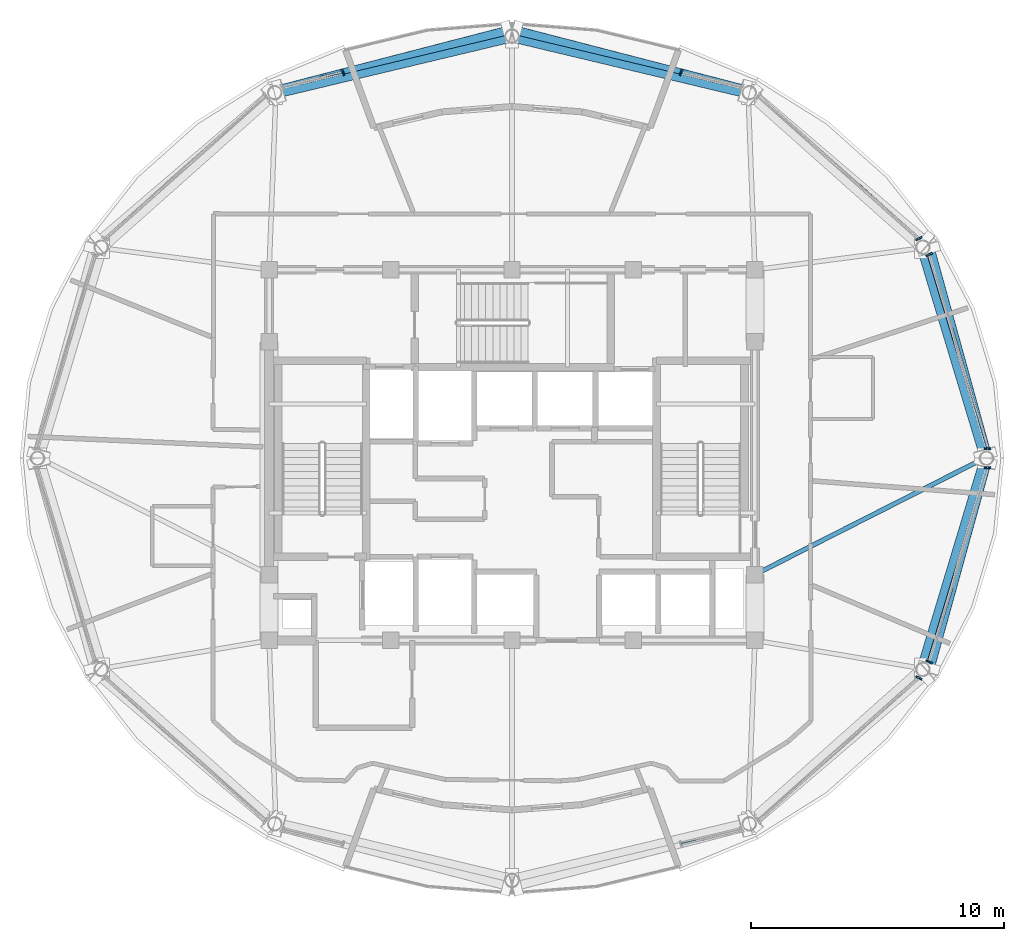
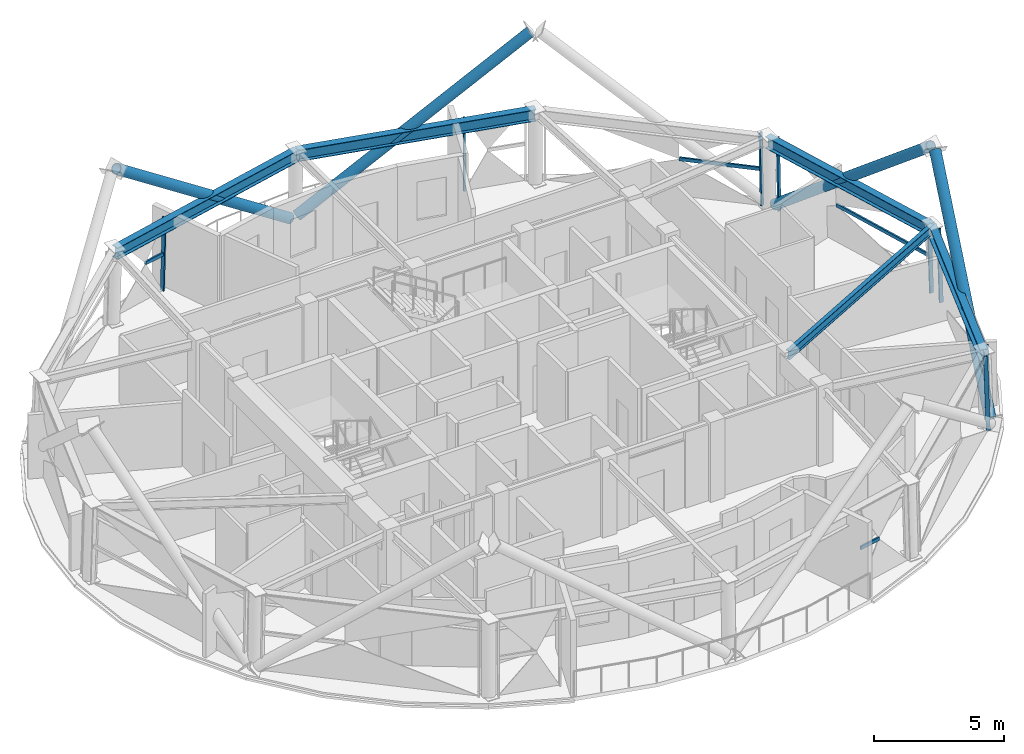
# One storey, part 4 of 13: 17 members, 5 beams, 7 elements without a shape of their own.
"""IFC4 building model written with IfcOpenShell, lengths in metres."""

from ifc_helpers import new_model, si_unit, direction, frame, origin, origin_2d, place, context, subcontext, project, spatial, hollow_rectangle, hollow_circle, i_section, extrude, material, layer, layer_set, material_profile, profile_set, type_object, element, aggregate, save


model = new_model("IFC4")

# Units and contexts
model_context = context("Model", 3, precision=1e-05, world=origin(), true_north=direction((0.0, 1.0)))
body_context = subcontext(model_context, "Body", "Model", "MODEL_VIEW")
ifc_project = project(units=[si_unit("LENGTHUNIT", "METRE"), si_unit("AREAUNIT", "SQUARE_METRE"), si_unit("VOLUMEUNIT", "CUBIC_METRE"), si_unit("PLANEANGLEUNIT", "RADIAN"), si_unit("MASSUNIT", "GRAM", prefix="KILO")], contexts=[model_context])

# Site, building, storey
site_placement = place(None, origin())
site = spatial("IfcSite", under=ifc_project, at=site_placement, CompositionType="ELEMENT")
building_placement = place(site_placement, origin())
building = spatial("IfcBuilding", under=site, at=building_placement, Name="Vantalir Tower", CompositionType="ELEMENT")
storey_placement = place(building_placement, frame((0.0, 0.0, 282.60009765625)))
storey = spatial("IfcBuildingStorey", under=building, at=storey_placement, Name="L71", CompositionType="ELEMENT", Elevation=282.60009765625)

# Beams
ifc_material_1 = material(Name="Steel S355", Category="steel")
ifc_material_profile_1 = material_profile(ifc_material_1, i_section(OverallWidth=0.179931640625, OverallDepth=0.4130859375, WebThickness=0.009521484375, FlangeThickness=0.01611328125, at=origin_2d()), Name="Steel S355")
ifc_profile_set_1 = profile_set([ifc_material_profile_1], Name="Steel S355")
beam_type_1 = type_object("IfcBeamType", Name="BM-RB-406x178", PredefinedType="BEAM", material=ifc_profile_set_1)
beam_1_placement = place(storey_placement, frame((50.1650390625, 25.0, 3.364013671875), z_axis=(-0.891750275666, -0.452527839862, 0.0), x_axis=(0.452527839862, -0.891750275666, 0.0)))
element("IfcBeam", 1, at=beam_1_placement, inside=storey, type_object=beam_type_1, Name="L71 Radial Floor Beam 01", PredefinedType="BEAM", context=body_context, shape_type="SweptSolid", body=[
    extrude(i_section(OverallWidth=0.179931640625, OverallDepth=0.4130859375, WebThickness=0.009521484375, FlangeThickness=0.01611328125, at=origin_2d()), origin(), (0.0, 0.0, 1.0), 10.165283203125),
])
ifc_material_2 = material(Name="Steel S460", Category="steel")
ifc_material_profile_2 = material_profile(ifc_material_2, i_section(OverallWidth=0.31201171875, OverallDepth=0.5419921875, WebThickness=0.0126953125, FlangeThickness=0.020263671875, at=origin_2d()), Name="Steel S460")
ifc_profile_set_2 = profile_set([ifc_material_profile_2], Name="Steel S460")
beam_type_2 = type_object("IfcBeamType", Name="BM-RG-533x312", PredefinedType="USERDEFINED", material=ifc_profile_set_2)
beam_2_placement = place(storey_placement, frame((50.1650390625, 25.0, 3.298828125), z_axis=(-0.288414477958, 0.957505659985, 0.0), x_axis=(-0.957505659985, -0.288414477958, 0.0)))
element("IfcBeam", 2, at=beam_2_placement, inside=storey, type_object=beam_type_2, Name="L71 Circumferential Ring Girder 01", ObjectType="GIRDER", PredefinedType="USERDEFINED", context=body_context, shape_type="SweptSolid", body=[
    extrude(i_section(OverallWidth=0.31201171875, OverallDepth=0.5419921875, WebThickness=0.0126953125, FlangeThickness=0.020263671875, at=origin_2d()), origin(), (0.0, 0.0, 1.0), 8.67138671875),
])
beam_3_placement = place(storey_placement, frame((40.8330078125, 39.381103515625, 3.298828125), z_axis=(-0.972742563461, 0.231887699613, 0.0), x_axis=(-0.231887699613, -0.972742563461, 0.0)))
element("IfcBeam", 3, at=beam_3_placement, inside=storey, type_object=beam_type_2, Name="L71 Circumferential Ring Girder 03", ObjectType="GIRDER", PredefinedType="USERDEFINED", context=body_context, shape_type="SweptSolid", body=[
    extrude(i_section(OverallWidth=0.31201171875, OverallDepth=0.5419921875, WebThickness=0.0126953125, FlangeThickness=0.020263671875, at=origin_2d()), origin(), (0.0, 0.0, 1.0), 9.594482421875),
])
beam_4_placement = place(storey_placement, frame((31.5, 41.60595703125, 3.298828125), z_axis=(-0.972737089568, -0.231910660769, 0.0), x_axis=(0.231910660769, -0.972737089568, 0.0)))
element("IfcBeam", 4, at=beam_4_placement, inside=storey, type_object=beam_type_2, Name="L71 Circumferential Ring Girder 04", ObjectType="GIRDER", PredefinedType="USERDEFINED", context=body_context, shape_type="SweptSolid", body=[
    extrude(i_section(OverallWidth=0.31201171875, OverallDepth=0.5419921875, WebThickness=0.0126953125, FlangeThickness=0.020263671875, at=origin_2d()), origin(), (0.0, 0.0, 1.0), 9.593505859375),
])
beam_5_placement = place(storey_placement, frame((47.6640625, 16.697021484375, 3.298828125), z_axis=(0.288414477958, 0.957505659985, 0.0), x_axis=(-0.957505659985, 0.288414477958, 0.0)))
element("IfcBeam", 5, at=beam_5_placement, inside=storey, type_object=beam_type_2, Name="L71 Circumferential Ring Girder 12", ObjectType="GIRDER", PredefinedType="USERDEFINED", context=body_context, shape_type="SweptSolid", body=[
    extrude(i_section(OverallWidth=0.31201171875, OverallDepth=0.5419921875, WebThickness=0.0126953125, FlangeThickness=0.020263671875, at=origin_2d()), origin(), (0.0, 0.0, 1.0), 8.67138671875),
])

# Curtain wall, members
ifc_material_3 = material(Name="Champagne-silver PVDF aluminium and double-silver Low-E glass", Category="aluminium")
ifc_layer = layer(ifc_material_3, 0.219970703125)
ifc_layer_set = layer_set([ifc_layer], Name="Champagne-silver PVDF aluminium and double-silver Low-E glass")
curtain_wall_type = type_object("IfcCurtainWallType", Name="CW-DIAMOND-Z4", PredefinedType="USERDEFINED", material=ifc_layer_set)
curtain_wall_1_placement = place(storey_placement, origin())
curtain_wall_1 = element("IfcCurtainWall", 6, at=curtain_wall_1_placement, inside=storey, type_object=curtain_wall_type, Name="L71 Quilted Pyramid-Diamond Curtain Wall S01", ObjectType="UNITISED CURTAIN WALL", PredefinedType="USERDEFINED")
ifc_material_4 = material(Name="Champagne-silver PVDF aluminium 6063-T6", Category="aluminium")
ifc_material_profile_3 = material_profile(ifc_material_4, hollow_rectangle(XDim=0.070068359375, YDim=0.1650390625, WallThickness=0.00390625, at=origin_2d()), Name="Champagne-silver PVDF aluminium 6063-T6")
ifc_profile_set_3 = profile_set([ifc_material_profile_3], Name="Champagne-silver PVDF aluminium 6063-T6")
member_type_1 = type_object("IfcMemberType", Name="CWM-165x70", PredefinedType="MULLION", material=ifc_profile_set_3)
member_1_placement = place(storey_placement, frame((50.347900390625, 25.373046875, 0.044921875), z_axis=(-0.030153253369, 0.0, 0.999545287274), x_axis=(0.0, -1.0, 0.0)))
member_1 = element("IfcMember", 7, at=member_1_placement, type_object=member_type_1, Name="CW-L71-S01 Mullion 1", PredefinedType="MULLION", context=body_context, shape_type="SweptSolid", body=[
    extrude(hollow_rectangle(XDim=0.070068359375, YDim=0.1650390625, WallThickness=0.00390625, at=origin_2d()), origin(), (0.0, 0.0, 1.0), 3.4814453125),
])
member_2_placement = place(storey_placement, frame((48.031982421875, 33.072021484375, 0.044921875), z_axis=(-0.026156742266, -0.013534185676, 0.999566231248), x_axis=(0.459552467317, -0.888150623364, 0.0)))
member_2 = element("IfcMember", 8, at=member_2_placement, type_object=member_type_1, Name="CW-L71-S01 Mullion 2", PredefinedType="MULLION", context=body_context, shape_type="SweptSolid", body=[
    extrude(hollow_rectangle(XDim=0.070068359375, YDim=0.1650390625, WallThickness=0.00390625, at=origin_2d()), origin(), (0.0, 0.0, 1.0), 3.4814453125),
])

# Curtain wall, member
curtain_wall_2_placement = place(storey_placement, origin())
curtain_wall_2 = element("IfcCurtainWall", 9, at=curtain_wall_2_placement, inside=storey, type_object=curtain_wall_type, Name="L71 Quilted Pyramid-Diamond Curtain Wall S02", ObjectType="UNITISED CURTAIN WALL", PredefinedType="USERDEFINED")
member_3_placement = place(storey_placement, frame((47.62890625, 33.7041015625, 0.044921875), z_axis=(-0.026086664737, -0.013534210468, 0.99956806225), x_axis=(0.460526100671, -0.887646162951, 0.0)))
member_3 = element("IfcMember", 10, at=member_3_placement, type_object=member_type_1, Name="CW-L71-S02 Mullion 1", PredefinedType="MULLION", context=body_context, shape_type="SweptSolid", body=[
    extrude(hollow_rectangle(XDim=0.070068359375, YDim=0.1650390625, WallThickness=0.00390625, at=origin_2d()), origin(), (0.0, 0.0, 1.0), 3.4814453125),
])

curtain_wall_3_placement = place(storey_placement, origin())
curtain_wall_3 = element("IfcCurtainWall", 11, at=curtain_wall_3_placement, inside=storey, type_object=curtain_wall_type, Name="L71 Quilted Pyramid-Diamond Curtain Wall S03", ObjectType="UNITISED CURTAIN WALL", PredefinedType="USERDEFINED")
member_4_placement = place(storey_placement, frame((38.198974609375, 40.291015625, 0.044921875), z_axis=(-0.009748213367, -0.024686123058, 0.999647721782), x_axis=(0.930107717717, -0.367286854439, 0.0)))
member_4 = element("IfcMember", 12, at=member_4_placement, type_object=member_type_1, Name="CW-L71-S03 Mullion 2", PredefinedType="MULLION", context=body_context, shape_type="SweptSolid", body=[
    extrude(hollow_rectangle(XDim=0.070068359375, YDim=0.1650390625, WallThickness=0.00390625, at=origin_2d()), origin(), (0.0, 0.0, 1.0), 3.481201171875),
])
aggregate(curtain_wall_3, [member_4])

curtain_wall_4_placement = place(storey_placement, origin())
curtain_wall_4 = element("IfcCurtainWall", 13, at=curtain_wall_4_placement, inside=storey, type_object=curtain_wall_type, Name="L71 Quilted Pyramid-Diamond Curtain Wall S04", ObjectType="UNITISED CURTAIN WALL", PredefinedType="USERDEFINED")
member_5_placement = place(storey_placement, frame((24.801025390625, 40.291015625, 0.044921875), z_axis=(0.010028709673, -0.02468605458, 0.999644948815), x_axis=(0.926466577122, 0.376377046956, 0.0)))
member_5 = element("IfcMember", 14, at=member_5_placement, type_object=member_type_1, Name="CW-L71-S04 Mullion 1", PredefinedType="MULLION", context=body_context, shape_type="SweptSolid", body=[
    extrude(hollow_rectangle(XDim=0.070068359375, YDim=0.1650390625, WallThickness=0.00390625, at=origin_2d()), origin(), (0.0, 0.0, 1.0), 3.481201171875),
])

curtain_wall_5_placement = place(storey_placement, origin())
curtain_wall_5 = element("IfcCurtainWall", 15, at=curtain_wall_5_placement, inside=storey, type_object=curtain_wall_type, Name="L71 Quilted Pyramid-Diamond Curtain Wall S11", ObjectType="UNITISED CURTAIN WALL", PredefinedType="USERDEFINED")
member_6_placement = place(storey_placement, frame((47.62890625, 16.2958984375, 0.044921875), z_axis=(-0.026086664737, 0.013534210468, 0.99956806225), x_axis=(-0.460526100671, -0.887646162951, 0.0)))
member_6 = element("IfcMember", 16, at=member_6_placement, type_object=member_type_1, Name="CW-L71-S11 Mullion 2", PredefinedType="MULLION", context=body_context, shape_type="SweptSolid", body=[
    extrude(hollow_rectangle(XDim=0.070068359375, YDim=0.1650390625, WallThickness=0.00390625, at=origin_2d()), origin(), (0.0, 0.0, 1.0), 3.4814453125),
])
aggregate(curtain_wall_5, [member_6])

# Curtain wall, members
curtain_wall_6_placement = place(storey_placement, origin())
curtain_wall_6 = element("IfcCurtainWall", 17, at=curtain_wall_6_placement, inside=storey, type_object=curtain_wall_type, Name="L71 Quilted Pyramid-Diamond Curtain Wall S12", ObjectType="UNITISED CURTAIN WALL", PredefinedType="USERDEFINED")
member_7_placement = place(storey_placement, frame((48.031982421875, 16.927978515625, 0.044921875), z_axis=(-0.026156742266, 0.013534185676, 0.999566231248), x_axis=(-0.459552467317, -0.888150623364, 0.0)))
member_7 = element("IfcMember", 18, at=member_7_placement, type_object=member_type_1, Name="CW-L71-S12 Mullion 1", PredefinedType="MULLION", context=body_context, shape_type="SweptSolid", body=[
    extrude(hollow_rectangle(XDim=0.070068359375, YDim=0.1650390625, WallThickness=0.00390625, at=origin_2d()), origin(), (0.0, 0.0, 1.0), 3.4814453125),
])
member_8_placement = place(storey_placement, frame((50.347900390625, 24.626953125, 0.044921875), z_axis=(-0.030153253369, 0.0, 0.999545287274), x_axis=(0.0, -1.0, 0.0)))
member_8 = element("IfcMember", 19, at=member_8_placement, type_object=member_type_1, Name="CW-L71-S12 Mullion 2", PredefinedType="MULLION", context=body_context, shape_type="SweptSolid", body=[
    extrude(hollow_rectangle(XDim=0.070068359375, YDim=0.1650390625, WallThickness=0.00390625, at=origin_2d()), origin(), (0.0, 0.0, 1.0), 3.4814453125),
])

# Member
ifc_material_profile_4 = material_profile(ifc_material_4, hollow_rectangle(XDim=0.074951171875, YDim=0.159912109375, WallThickness=0.00390625, at=origin_2d()), Name="Champagne-silver PVDF aluminium 6063-T6")
ifc_profile_set_4 = profile_set([ifc_material_profile_4], Name="Champagne-silver PVDF aluminium 6063-T6")
member_type_2 = type_object("IfcMemberType", Name="CWT-160x75", PredefinedType="USERDEFINED", material=ifc_profile_set_4)
member_9_placement = place(storey_placement, frame((50.294921875, 25.373046875, 1.784912109375), z_axis=(-0.283373872452, 0.959009514245, 0.0), x_axis=(-0.959009514245, -0.283373872452, 0.0)))
member_9 = element("IfcMember", 20, at=member_9_placement, type_object=member_type_2, Name="CW-L71-S01 Pyramid Fold Ridge Transom", ObjectType="TRANSOM", PredefinedType="USERDEFINED", context=body_context, shape_type="SweptSolid", body=[
    extrude(hollow_rectangle(XDim=0.074951171875, YDim=0.159912109375, WallThickness=0.00390625, at=origin_2d()), origin(), (0.0, 0.0, 1.0), 4.968505859375),
])

aggregate(curtain_wall_1, [member_1, member_2, member_9])

member_10_placement = place(storey_placement, frame((47.5830078125, 33.680908203125, 1.784912109375), z_axis=(-0.741727901546, 0.670700917003, 0.0), x_axis=(-0.670700917003, -0.741727901546, 0.0)))
member_10 = element("IfcMember", 21, at=member_10_placement, type_object=member_type_2, Name="CW-L71-S02 Pyramid Fold Ridge Transom", ObjectType="TRANSOM", PredefinedType="USERDEFINED", context=body_context, shape_type="SweptSolid", body=[
    extrude(hollow_rectangle(XDim=0.074951171875, YDim=0.159912109375, WallThickness=0.00390625, at=origin_2d()), origin(), (0.0, 0.0, 1.0), 3.220703125),
])

aggregate(curtain_wall_2, [member_3, member_10])

member_11_placement = place(storey_placement, frame((24.818115234375, 40.248046875, 1.784912109375), z_axis=(-0.978259662564, -0.207383780947, 0.0), x_axis=(0.207383780947, -0.978259662564, 0.0)))
member_11 = element("IfcMember", 22, at=member_11_placement, type_object=member_type_2, Name="CW-L71-S04 Pyramid Fold Ridge Transom", ObjectType="TRANSOM", PredefinedType="USERDEFINED", context=body_context, shape_type="SweptSolid", body=[
    extrude(hollow_rectangle(XDim=0.074951171875, YDim=0.159912109375, WallThickness=0.00390625, at=origin_2d()), origin(), (0.0, 0.0, 1.0), 0.940673828125),
])

aggregate(curtain_wall_4, [member_5, member_11])

# Curtain wall, member
curtain_wall_7_placement = place(storey_placement, origin())
curtain_wall_7 = element("IfcCurtainWall", 23, at=curtain_wall_7_placement, inside=storey, type_object=curtain_wall_type, Name="L71 Quilted Pyramid-Diamond Curtain Wall S10", ObjectType="UNITISED CURTAIN WALL", PredefinedType="USERDEFINED")
member_12_placement = place(storey_placement, frame((38.181884765625, 9.751953125, 1.784912109375), z_axis=(0.978259662564, 0.207383780947, 0.0), x_axis=(-0.207383780947, 0.978259662564, 0.0)))
member_12 = element("IfcMember", 24, at=member_12_placement, type_object=member_type_2, Name="CW-L71-S10 Pyramid Fold Ridge Transom", ObjectType="TRANSOM", PredefinedType="USERDEFINED", context=body_context, shape_type="SweptSolid", body=[
    extrude(hollow_rectangle(XDim=0.074951171875, YDim=0.159912109375, WallThickness=0.00390625, at=origin_2d()), origin(), (0.0, 0.0, 1.0), 0.940673828125),
])
aggregate(curtain_wall_7, [member_12])

# Member
member_13_placement = place(storey_placement, frame((47.987060546875, 16.951904296875, 1.784912109375), z_axis=(0.295425982837, 0.955365630879, 0.0), x_axis=(-0.955365630879, 0.295425982837, 0.0)))
member_13 = element("IfcMember", 25, at=member_13_placement, type_object=member_type_2, Name="CW-L71-S12 Pyramid Fold Ridge Transom", ObjectType="TRANSOM", PredefinedType="USERDEFINED", context=body_context, shape_type="SweptSolid", body=[
    extrude(hollow_rectangle(XDim=0.074951171875, YDim=0.159912109375, WallThickness=0.00390625, at=origin_2d()), origin(), (0.0, 0.0, 1.0), 3.046142578125),
])

aggregate(curtain_wall_6, [member_7, member_8, member_13])

# Members
ifc_material_profile_5 = material_profile(ifc_material_2, hollow_circle(Radius=0.22998046875, WallThickness=0.028076171875, at=origin_2d()), Name="Steel S460")
ifc_profile_set_5 = profile_set([ifc_material_profile_5], Name="Steel S460")
member_type_3 = type_object("IfcMemberType", Name="MEM-DB-460x28", PredefinedType="BRACE", material=ifc_profile_set_5)
member_14_placement = place(storey_placement, frame((47.965087890625, 33.281005859375, 0.218994140625), z_axis=(0.205979277598, -0.746397061832, 0.632822220919), x_axis=(0.963967239965, 0.266020977131, 0.0)))
element("IfcMember", 26, at=member_14_placement, inside=storey, type_object=member_type_3, Name="L71 Perimeter S460 Diagrid Brace R04R", PredefinedType="BRACE", context=body_context, shape_type="SweptSolid", body=[
    extrude(hollow_circle(Radius=0.22998046875, WallThickness=0.028076171875, at=origin_2d()), origin(), (0.0, 0.0, 1.0), 10.874755859375),
])
for number, where, z_axis, x_axis, name in (
    (27, (31.3291015625, 41.845947265625, 0.2109375), (-0.778475114506, -0.201477775581, 0.594460429331), (0.250555335915, -0.968102279537, 0.0), "L71 Perimeter S460 Diagrid Brace R10L"),
    (28, (31.6708984375, 41.845947265625, 0.2109375), (0.778475114506, -0.201477775581, 0.594460429331), (0.250555335915, 0.968102279537, 0.0), "L71 Perimeter S460 Diagrid Brace R10R"),
):
    element("IfcMember", number, at=place(storey_placement, frame(where, z_axis=z_axis, x_axis=x_axis)), inside=storey, type_object=member_type_3, Name=name, PredefinedType="BRACE", context=body_context, shape_type="SweptSolid", body=[
        extrude(hollow_circle(Radius=0.22998046875, WallThickness=0.028076171875, at=origin_2d()), origin(), (0.0, 0.0, 1.0), 11.603759765625),
    ])
member_15_placement = place(storey_placement, frame((47.965087890625, 16.718994140625, 0.218994140625), z_axis=(0.205979277598, 0.746397061832, 0.632822220919), x_axis=(-0.963967239965, 0.266020977131, 0.0)))
element("IfcMember", 29, at=member_15_placement, inside=storey, type_object=member_type_3, Name="L71 Perimeter S460 Diagrid Brace R34L", PredefinedType="BRACE", context=body_context, shape_type="SweptSolid", body=[
    extrude(hollow_circle(Radius=0.22998046875, WallThickness=0.028076171875, at=origin_2d()), origin(), (0.0, 0.0, 1.0), 10.874755859375),
])

save(model, "model.ifc")
